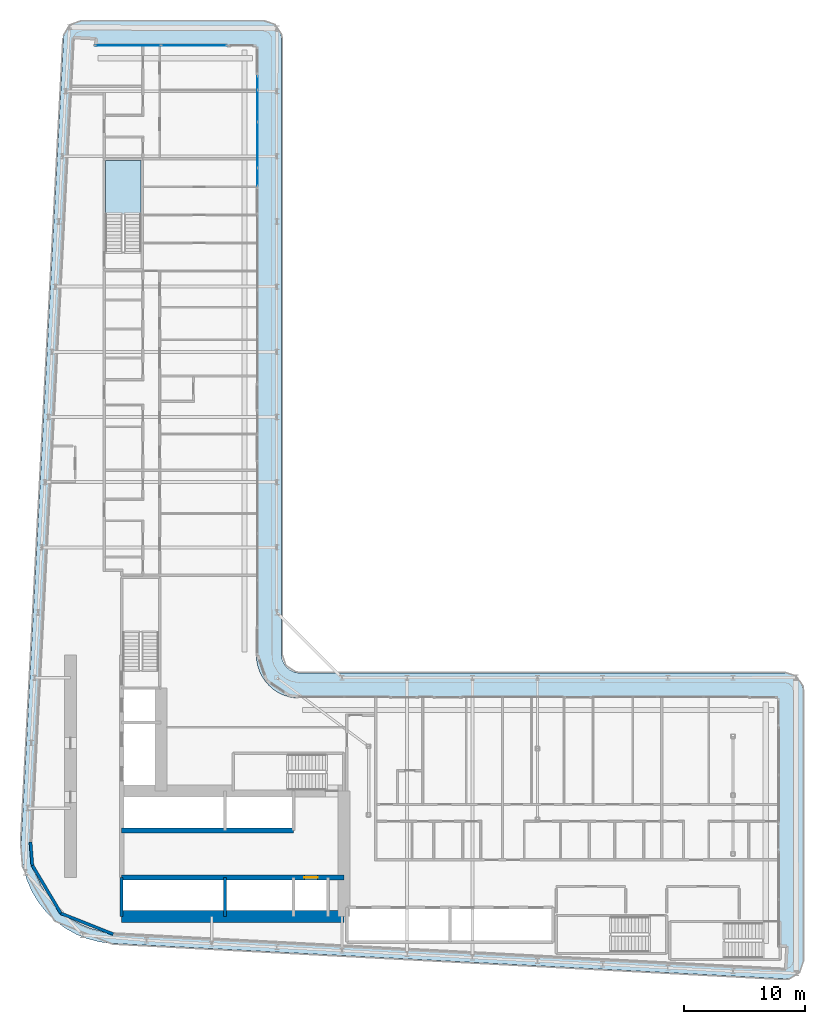
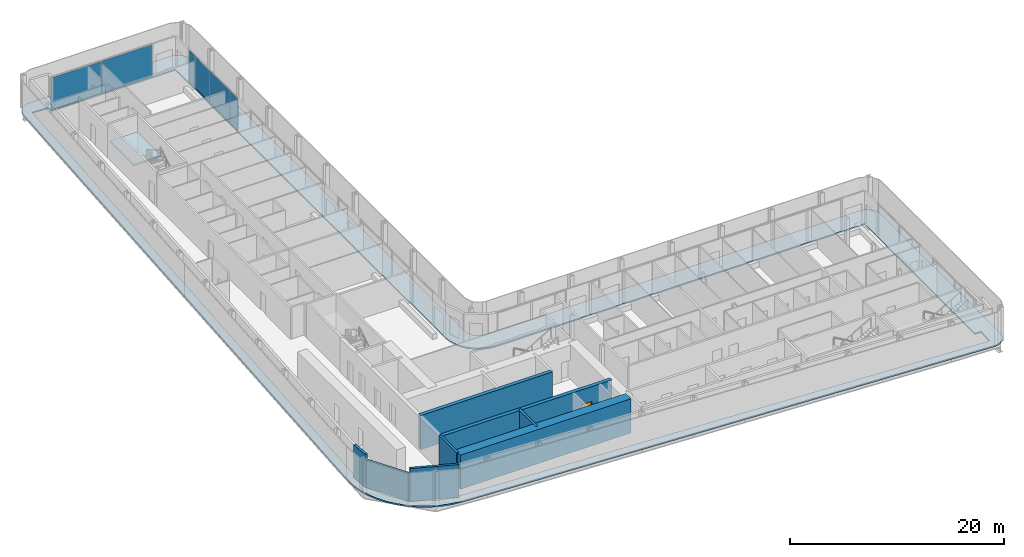
# One storey, part 10 of 24: 8 walls, 6 plates, 2 slabs, 1 door, 1 opening, 4 elements without a shape of their own.
"""IFC4 building model written with IfcOpenShell, lengths in metres."""

import ifcopenshell
import ifcopenshell.guid

model = None  # the IFC model being written
_history = None  # IfcOwnerHistory: only IFC2X3 demands one
_inside = {}  # id of a spatial element -> (the spatial element, [elements in it])
_under = {}  # id of a project, library or spatial element -> (it, [spatial elements below it])
_declared = {}  # id of a project -> (the project, [libraries it declares])
_typed = {}  # id of a type object -> (the type object, [elements of that type])
_made_of = {}  # id of a material, layer set ... -> (it, [elements and type objects made of it])


def new_model(schema):
    """Start an empty IFC model of exactly this schema.

    Asked for "IFC4X3", IfcOpenShell would pick the latest addendum, in which some entities
    have other attributes; the version numbers below select the first issue.
    IFC2X3 requires an IfcOwnerHistory on every rooted entity: one is made here for all.
    """
    global model, _history
    if schema == "IFC4X3":
        model = ifcopenshell.file(schema_version=(4, 3, 0, 0))
    else:
        model = ifcopenshell.file(schema=schema)
    _inside.clear()
    _under.clear()
    _declared.clear()
    _typed.clear()
    _made_of.clear()
    _history = None
    if model.schema == "IFC2X3":
        org = make("IfcOrganization", Name="unknown")
        user = make(
            "IfcPersonAndOrganization",
            ThePerson=make("IfcPerson", FamilyName="unknown"),
            TheOrganization=org,
        )
        app = make(
            "IfcApplication",
            ApplicationDeveloper=org,
            Version="unknown",
            ApplicationFullName="unknown",
            ApplicationIdentifier="unknown",
        )
        _history = make(
            "IfcOwnerHistory",
            OwningUser=user,
            OwningApplication=app,
            ChangeAction="ADDED",
            CreationDate=0,
        )
    return model


def make(cls, **values):
    """One entity of the class cls with the attributes given. An attribute that is None is left unset."""
    return model.create_entity(
        cls, **{name: value for name, value in values.items() if value is not None}
    )


def rooted(cls, **values):
    """An entity with a GlobalId (a new one), such as an element, a storey or a relation."""
    return make(cls, GlobalId=ifcopenshell.guid.new(), OwnerHistory=_history, **values)


def si_unit(unit_type, name, prefix=None):
    """IfcSIUnit, for example si_unit("LENGTHUNIT", "METRE", prefix="MILLI")."""
    return make("IfcSIUnit", UnitType=unit_type, Prefix=prefix, Name=name)


def assignment(units):
    """IfcUnitAssignment: the units of a project."""
    return None if units is None else make("IfcUnitAssignment", Units=units)


def point(xyz):
    """IfcCartesianPoint."""
    return None if xyz is None else make("IfcCartesianPoint", Coordinates=xyz)


def direction(xyz):
    """IfcDirection."""
    return None if xyz is None else make("IfcDirection", DirectionRatios=xyz)


def frame(location, z_axis=None, x_axis=None):
    """IfcAxis2Placement3D, a coordinate frame: its origin and axes. An axis left out is left unset."""
    return make(
        "IfcAxis2Placement3D",
        Location=point(location),
        Axis=direction(z_axis),
        RefDirection=direction(x_axis),
    )


def frame_2d(location, x_axis=None):
    """IfcAxis2Placement2D, a coordinate frame in the plane: its origin and x axis."""
    return make(
        "IfcAxis2Placement2D", Location=point(location), RefDirection=direction(x_axis)
    )


def origin():
    """The frame at (0, 0, 0) with its axes left unset."""
    return frame((0.0, 0.0, 0.0))


def origin_2d():
    """The frame at (0, 0) in the plane with its x axis left unset."""
    return frame_2d((0.0, 0.0))


def place(relative_to, where):
    """IfcLocalPlacement: puts the frame where relative to a parent placement (None: the world)."""
    return make(
        "IfcLocalPlacement", PlacementRelTo=relative_to, RelativePlacement=where
    )


def context(
    kind, dimensions, precision=None, world=None, true_north=None, identifier=None
):
    """IfcGeometricRepresentationContext, for example the 3D "Model" context."""
    return make(
        "IfcGeometricRepresentationContext",
        ContextIdentifier=identifier,
        ContextType=kind,
        CoordinateSpaceDimension=dimensions,
        Precision=precision,
        WorldCoordinateSystem=world,
        TrueNorth=true_north,
    )


def subcontext(parent, identifier, kind, view, scale=None):
    """IfcGeometricRepresentationSubContext, for example "Body" below "Model"."""
    return make(
        "IfcGeometricRepresentationSubContext",
        ContextIdentifier=identifier,
        ContextType=kind,
        ParentContext=parent,
        TargetScale=scale,
        TargetView=view,
    )


def project(units=None, contexts=None):
    """IfcProject with its units and contexts."""
    return rooted(
        "IfcProject",
        Name="project",
        RepresentationContexts=contexts,
        UnitsInContext=assignment(units),
    )


def spatial(cls, under=None, at=None, **own):
    """A site, building, storey or space (cls), placed at a placement, below another one or the project."""
    s = rooted(cls, ObjectPlacement=at, **own)
    if under is not None:
        _under.setdefault(under.id(), (under, []))[1].append(s)
    return s


def polyline(points):
    """IfcPolyline through the points."""
    return make("IfcPolyline", Points=[point(p) for p in points])


def profile(cls, at=None, kind="AREA", **sizes):
    """A parametric profile (cls). Its sizes go by their IFC names, for example OverallWidth=200.0."""
    return make(cls, ProfileType=kind, Position=at, **sizes)


def rectangle(**sizes):
    """IfcRectangleProfileDef."""
    return profile("IfcRectangleProfileDef", **sizes)


def outline(outer, holes=None, kind="AREA"):
    """IfcArbitraryClosedProfileDef: a profile drawn as a closed curve; with holes, ...WithVoids."""
    if holes is None:
        return make("IfcArbitraryClosedProfileDef", ProfileType=kind, OuterCurve=outer)
    return make(
        "IfcArbitraryProfileDefWithVoids",
        ProfileType=kind,
        OuterCurve=outer,
        InnerCurves=holes,
    )


def extrude(swept, where, along, depth):
    """IfcExtrudedAreaSolid: the profile swept, set in the frame where, extruded along a direction by depth."""
    return make(
        "IfcExtrudedAreaSolid",
        SweptArea=swept,
        Position=where,
        ExtrudedDirection=direction(along),
        Depth=depth,
    )


def shape(context_of_items, identifier, shape_type, items):
    """IfcShapeRepresentation: the items that make up one representation, for example the "Body"."""
    return make(
        "IfcShapeRepresentation",
        ContextOfItems=context_of_items,
        RepresentationIdentifier=identifier,
        RepresentationType=shape_type,
        Items=items,
    )


def source(mapping_origin, context_of_items, identifier, shape_type, items):
    """IfcRepresentationMap: a shape defined once, which mapped items show again and again."""
    return make(
        "IfcRepresentationMap",
        MappingOrigin=mapping_origin,
        MappedRepresentation=shape(context_of_items, identifier, shape_type, items),
    )


def transform(
    local_origin,
    x_axis=None,
    y_axis=None,
    z_axis=None,
    scale=None,
    scale2=None,
    scale3=None,
    uniform=True,
):
    """IfcCartesianTransformationOperator3D, or its non-uniform kind. x_axis, y_axis, z_axis: its Axis1, 2, 3."""
    if uniform:
        return make(
            "IfcCartesianTransformationOperator3D",
            Axis1=direction(x_axis),
            Axis2=direction(y_axis),
            LocalOrigin=point(local_origin),
            Scale=scale,
            Axis3=direction(z_axis),
        )
    return make(
        "IfcCartesianTransformationOperator3DnonUniform",
        Axis1=direction(x_axis),
        Axis2=direction(y_axis),
        LocalOrigin=point(local_origin),
        Scale=scale,
        Axis3=direction(z_axis),
        Scale2=scale2,
        Scale3=scale3,
    )


def mapped(mapping_source, mapping_target):
    """IfcMappedItem: shows the shape of a source again, moved by a transform."""
    return make(
        "IfcMappedItem", MappingSource=mapping_source, MappingTarget=mapping_target
    )


def material(Name=None, Category=None):
    """IfcMaterial."""
    return make("IfcMaterial", Name=Name, Category=Category)


def layer(
    of_material, thickness, ventilated=None, Name=None, Category=None, Priority=None
):
    """IfcMaterialLayer: one layer of a wall or slab, of a material (None: an air gap)."""
    return make(
        "IfcMaterialLayer",
        Material=of_material,
        LayerThickness=thickness,
        IsVentilated=ventilated,
        Name=Name,
        Category=Category,
        Priority=Priority,
    )


def layer_set(layers, Name=None):
    """IfcMaterialLayerSet."""
    return make("IfcMaterialLayerSet", MaterialLayers=layers, LayerSetName=Name)


def made_of(thing, what):
    """Note that an element or type object is made of a material, layer set ...; save() writes the relation."""
    if what is not None:
        _made_of.setdefault(what.id(), (what, []))[1].append(thing)
    return thing


def type_object(cls, material=None, **own):
    """A type object (cls), such as IfcWallType, which elements share."""
    return made_of(rooted(cls, **own), material)


def element(
    cls,
    number,
    at=None,
    inside=None,
    cuts=None,
    type_object=None,
    material=None,
    context=None,
    identifier="Body",
    shape_type=None,
    held_by="IfcProductDefinitionShape",
    body=None,
    shapes=None,
    **own,
):
    """One element of the class cls, such as IfcWall. Its Tag is "e" and its number.

    at: its placement. inside: the storey or other place that contains it. cuts: it is an
    opening in that element (IfcRelVoidsElement). A single representation is given by context,
    identifier, shape_type and body (its items); several are given by shapes. held_by: the class
    of the entity that holds the representations. save() writes the other relations.
    """
    e = rooted(cls, Tag="e%d" % number, ObjectPlacement=at, **own)
    if body is not None:
        shapes = [shape(context, identifier, shape_type, body)]
    if shapes is not None:
        e.Representation = make(held_by, Representations=shapes)
    if inside is not None:
        _inside.setdefault(inside.id(), (inside, []))[1].append(e)
    if cuts is not None:
        rooted(
            "IfcRelVoidsElement", RelatingBuildingElement=cuts, RelatedOpeningElement=e
        )
    if type_object is not None:
        _typed.setdefault(type_object.id(), (type_object, []))[1].append(e)
    return made_of(e, material)


def fill(opening, filler):
    """IfcRelFillsElement: the door or window that sits in an opening."""
    return rooted(
        "IfcRelFillsElement",
        RelatingOpeningElement=opening,
        RelatedBuildingElement=filler,
    )


def aggregate(whole, parts):
    """IfcRelAggregates: a whole, such as a stair, and the parts it consists of."""
    return rooted("IfcRelAggregates", RelatingObject=whole, RelatedObjects=parts)


def save(model, path):
    """Write the relations noted so far, then the file.

    IfcRelAggregates (storeys below a building ...), IfcRelContainedInSpatialStructure (elements
    in a storey), IfcRelDefinesByType, IfcRelAssociatesMaterial and IfcRelDeclares: one each for
    every whole, place, type object, material and project.
    """
    for whole, parts in _under.values():
        aggregate(whole, parts)
    for where, things in _inside.values():
        rooted(
            "IfcRelContainedInSpatialStructure",
            RelatedElements=things,
            RelatingStructure=where,
        )
    for kind, things in _typed.values():
        rooted("IfcRelDefinesByType", RelatedObjects=things, RelatingType=kind)
    for what, things in _made_of.values():
        rooted("IfcRelAssociatesMaterial", RelatedObjects=things, RelatingMaterial=what)
    for by, libraries in _declared.values():
        rooted("IfcRelDeclares", RelatingContext=by, RelatedDefinitions=libraries)
    model.write(path)


model = new_model("IFC4")

# Units and contexts
model_context = context("Model", 3, precision=1e-05, world=origin(), true_north=direction((0.0, 1.0)))
body_context = subcontext(model_context, "Body", "Model", "MODEL_VIEW")
ifc_project = project(units=[si_unit("LENGTHUNIT", "METRE"), si_unit("AREAUNIT", "SQUARE_METRE"), si_unit("VOLUMEUNIT", "CUBIC_METRE"), si_unit("PLANEANGLEUNIT", "RADIAN"), si_unit("MASSUNIT", "GRAM", prefix="KILO")], contexts=[model_context])

# Site, building, storey
site_placement = place(None, origin())
site = spatial("IfcSite", under=ifc_project, at=site_placement, CompositionType="ELEMENT")
building_placement = place(site_placement, origin())
building = spatial("IfcBuilding", under=site, at=building_placement, Name="Kheshtan School and Residences Tower", CompositionType="ELEMENT")
storey_placement = place(building_placement, frame((0.0, 0.0, 38.300048828125)))
storey = spatial("IfcBuildingStorey", under=building, at=storey_placement, Name="L08", CompositionType="ELEMENT", Elevation=38.300048828125)

# Curtain wall, plates
ifc_material_1 = material(Name="Clear low-e glass in thermally broken aluminium frame", Category="aluminium")
ifc_layer_1 = layer(ifc_material_1, 0.199951171875)
ifc_layer_set_1 = layer_set([ifc_layer_1], Name="Curtain wall CW-L")
curtain_wall_type = type_object("IfcCurtainWallType", Name="Curtain wall CW-L", PredefinedType="NOTDEFINED", material=ifc_layer_set_1)
curtain_wall_1_placement = place(storey_placement, origin())
curtain_wall_1 = element("IfcCurtainWall", 1, at=curtain_wall_1_placement, inside=storey, type_object=curtain_wall_type, Name="Curtain wall CWL7", PredefinedType="NOTDEFINED")
ifc_layer_2 = layer(ifc_material_1, 0.031982421875)
ifc_layer_set_2 = layer_set([ifc_layer_2], Name="CW-L glass panel")
plate_type = type_object("IfcPlateType", Name="CW-L glass panel", PredefinedType="CURTAIN_PANEL", material=ifc_layer_set_2)
plate_1_placement = place(storey_placement, frame((35.259033203125, 98.0, 0.0), z_axis=(0.0, 0.0, 1.0), x_axis=(1.0, 0.0, 0.0)))
plate_1 = element("IfcPlate", 2, at=plate_1_placement, type_object=plate_type, Name="CWL7 panel 1.1", PredefinedType="CURTAIN_PANEL", context=body_context, shape_type="SweptSolid", body=[
    extrude(rectangle(XDim=5.4140625, YDim=0.031982421875, at=origin_2d()), origin(), (0.0, 0.0, 1.0), 3.6298828125),
])
plate_2_placement = place(storey_placement, frame((40.73291015625, 98.0, 0.0), z_axis=(0.0, 0.0, 1.0), x_axis=(1.0, 0.0, 0.0)))
plate_2 = element("IfcPlate", 3, at=plate_2_placement, type_object=plate_type, Name="CWL7 panel 2.1", PredefinedType="CURTAIN_PANEL", context=body_context, shape_type="SweptSolid", body=[
    extrude(rectangle(XDim=5.4140625, YDim=0.031982421875, at=origin_2d()), origin(), (0.0, 0.0, 1.0), 3.6298828125),
])
aggregate(curtain_wall_1, [plate_1, plate_2])

curtain_wall_2_placement = place(storey_placement, origin())
curtain_wall_2 = element("IfcCurtainWall", 4, at=curtain_wall_2_placement, inside=storey, type_object=curtain_wall_type, Name="Curtain wall CWL8c", PredefinedType="NOTDEFINED")
plate_3_placement = place(storey_placement, frame((46.0, 94.885009765625, 0.0), z_axis=(0.0, 0.0, 1.0), x_axis=(0.0, -1.0, 0.0)))
plate_3 = element("IfcPlate", 5, at=plate_3_placement, type_object=plate_type, Name="CWL8c panel 1.1", PredefinedType="CURTAIN_PANEL", context=body_context, shape_type="SweptSolid", body=[
    extrude(rectangle(XDim=1.110107421875, YDim=0.031982421875, at=origin_2d()), origin(), (0.0, 0.0, 1.0), 3.6298828125),
])
plate_4_placement = place(storey_placement, frame((46.0, 92.9765625, 0.0), z_axis=(0.0, 0.0, 1.0), x_axis=(0.0, -1.0, 0.0)))
plate_4 = element("IfcPlate", 6, at=plate_4_placement, type_object=plate_type, Name="CWL8c panel 2.1", PredefinedType="CURTAIN_PANEL", context=body_context, shape_type="SweptSolid", body=[
    extrude(rectangle(XDim=2.5869140625, YDim=0.031982421875, at=origin_2d()), origin(), (0.0, 0.0, 1.0), 3.6298828125),
])
plate_5_placement = place(storey_placement, frame((46.0, 89.744384765625, 0.0), z_axis=(0.0, 0.0, 1.0), x_axis=(0.0, -1.0, 0.0)))
plate_5 = element("IfcPlate", 7, at=plate_5_placement, type_object=plate_type, Name="CWL8c panel 3.1", PredefinedType="CURTAIN_PANEL", context=body_context, shape_type="SweptSolid", body=[
    extrude(rectangle(XDim=3.757080078125, YDim=0.031982421875, at=origin_2d()), origin(), (0.0, 0.0, 1.0), 3.6298828125),
])
aggregate(curtain_wall_2, [plate_3, plate_4, plate_5])

# Curtain wall, plate
curtain_wall_3_placement = place(storey_placement, origin())
curtain_wall_3 = element("IfcCurtainWall", 8, at=curtain_wall_3_placement, inside=storey, type_object=curtain_wall_type, Name="Curtain wall CWL8a", PredefinedType="NOTDEFINED")
plate_6_placement = place(storey_placement, frame((46.0, 87.0859375, 0.0), z_axis=(0.0, 0.0, 1.0), x_axis=(0.0, -1.0, 0.0)))
plate_6 = element("IfcPlate", 9, at=plate_6_placement, type_object=plate_type, Name="CWL8a panel 1.1", PredefinedType="CURTAIN_PANEL", context=body_context, shape_type="SweptSolid", body=[
    extrude(rectangle(XDim=1.43994140625, YDim=0.031982421875, at=origin_2d()), origin(), (0.0, 0.0, 1.0), 3.6298828125),
])
aggregate(curtain_wall_3, [plate_6])

# Slab
ifc_material_2 = material(Name="Concrete C40/50", Category="concrete")
ifc_layer_3 = layer(ifc_material_2, 0.14990234375)
ifc_layer_set_3 = layer_set([ifc_layer_3], Name="Loggia balcony slab 150 Concrete C40/50")
slab_type_1 = type_object("IfcSlabType", Name="Loggia balcony slab 150 Concrete C40/50", PredefinedType="FLOOR", material=ifc_layer_set_3)
slab_1_placement = place(storey_placement, frame((0.0, 0.0, -0.150146484375)))
element("IfcSlab", 10, at=slab_1_placement, inside=storey, type_object=slab_type_1, Name="Loggia balcony slab L08", PredefinedType="FLOOR", context=body_context, shape_type="SweptSolid", body=[
    extrude(outline(polyline([(28.4580078125, 26.222900390625), (28.45703125, 26.222900390625), (28.45703125, 26.22412109375), (28.4560546875, 26.22412109375), (27.81494140625, 27.0390625), (27.281005859375, 27.93798828125), (26.867919921875, 28.89990234375), (26.583984375, 29.89990234375), (26.583984375, 29.906982421875), (26.43408203125, 30.943115234375), (26.419921875, 31.989013671875), (29.925048828125, 98.5791015625), (29.930908203125, 98.626953125), (29.930908203125, 98.6279296875), (29.929931640625, 98.6279296875), (29.929931640625, 98.62890625), (29.928955078125, 98.62890625), (29.928955078125, 98.6298828125), (29.927978515625, 98.6298828125), (29.927978515625, 98.631103515625), (29.927001953125, 98.631103515625), (29.927001953125, 98.632080078125), (29.927001953125, 98.633056640625), (29.945068359375, 98.781005859375), (29.945068359375, 98.783935546875), (29.945068359375, 98.784912109375), (29.946044921875, 98.784912109375), (29.946044921875, 98.785888671875), (29.947021484375, 98.785888671875), (29.947021484375, 98.787109375), (29.947998046875, 98.787109375), (29.948974609375, 98.787109375), (29.948974609375, 98.7880859375), (29.949951171875, 98.7880859375), (29.949951171875, 98.7890625), (29.949951171875, 98.791015625), (30.0029296875, 98.98388671875), (30.083984375, 99.175048828125), (30.18896484375, 99.35302734375), (30.31103515625, 99.507080078125), (30.31201171875, 99.507080078125), (30.31201171875, 99.508056640625), (30.31298828125, 99.508056640625), (30.31298828125, 99.509033203125), (30.31396484375, 99.509033203125), (30.31396484375, 99.510009765625), (30.31494140625, 99.510009765625), (30.31494140625, 99.510986328125), (30.31591796875, 99.510986328125), (30.31591796875, 99.511962890625), (30.31689453125, 99.511962890625), (30.31689453125, 99.512939453125), (30.318115234375, 99.512939453125), (30.321044921875, 99.512939453125), (30.322021484375, 99.512939453125), (30.322021484375, 99.513916015625), (30.468017578125, 99.656982421875), (30.468994140625, 99.656982421875), (30.468994140625, 99.657958984375), (30.469970703125, 99.657958984375), (30.469970703125, 99.658935546875), (30.470947265625, 99.658935546875), (30.470947265625, 99.659912109375), (30.471923828125, 99.659912109375), (30.471923828125, 99.660888671875), (30.472900390625, 99.660888671875), (30.472900390625, 99.662109375), (30.47412109375, 99.662109375), (30.47412109375, 99.6630859375), (30.47509765625, 99.6630859375), (30.47509765625, 99.6640625), (30.635986328125, 99.777099609375), (30.820068359375, 99.873046875), (31.007080078125, 99.943115234375), (31.013916015625, 99.943115234375), (31.217041015625, 99.986083984375), (31.423095703125, 100.0), (46.5, 100.0), (46.696044921875, 99.987060546875), (46.887939453125, 99.948974609375), (46.89501953125, 99.948974609375), (47.073974609375, 99.885986328125), (47.242919921875, 99.801025390625), (47.243896484375, 99.801025390625), (47.2470703125, 99.801025390625), (47.248046875, 99.801025390625), (47.248046875, 99.802001953125), (47.2490234375, 99.802001953125), (47.2490234375, 99.802978515625), (47.25, 99.802978515625), (47.2529296875, 99.802978515625), (47.25390625, 99.802978515625), (47.25390625, 99.802001953125), (47.2548828125, 99.802001953125), (47.2548828125, 99.801025390625), (47.256103515625, 99.801025390625), (47.256103515625, 99.800048828125), (47.257080078125, 99.800048828125), (47.257080078125, 99.799072265625), (47.258056640625, 99.799072265625), (47.258056640625, 99.798095703125), (47.412109375, 99.696044921875), (47.4130859375, 99.696044921875), (47.4130859375, 99.695068359375), (47.4140625, 99.695068359375), (47.4140625, 99.694091796875), (47.4140625, 99.68994140625), (47.4140625, 99.68896484375), (47.4150390625, 99.68896484375), (47.4150390625, 99.68798828125), (47.416015625, 99.68798828125), (47.416015625, 99.68701171875), (47.4169921875, 99.68701171875), (47.4169921875, 99.68603515625), (47.554931640625, 99.568115234375), (47.554931640625, 99.56689453125), (47.555908203125, 99.56689453125), (47.555908203125, 99.56591796875), (47.556884765625, 99.56591796875), (47.556884765625, 99.56494140625), (47.55810546875, 99.56494140625), (47.55810546875, 99.56396484375), (47.55908203125, 99.56396484375), (47.55908203125, 99.56298828125), (47.56005859375, 99.56298828125), (47.56005859375, 99.56201171875), (47.56103515625, 99.56201171875), (47.56201171875, 99.56103515625), (47.56201171875, 99.56005859375), (47.56298828125, 99.56005859375), (47.56298828125, 99.55908203125), (47.56396484375, 99.55908203125), (47.56396484375, 99.55810546875), (47.56494140625, 99.55810546875), (47.56494140625, 99.556884765625), (47.56591796875, 99.556884765625), (47.56591796875, 99.555908203125), (47.56689453125, 99.555908203125), (47.56689453125, 99.554931640625), (47.568115234375, 99.554931640625), (47.68505859375, 99.41796875), (47.68603515625, 99.41796875), (47.68603515625, 99.4169921875), (47.68701171875, 99.4169921875), (47.68701171875, 99.416015625), (47.68798828125, 99.416015625), (47.68798828125, 99.4150390625), (47.68896484375, 99.4150390625), (47.68896484375, 99.4140625), (47.68994140625, 99.4140625), (47.694091796875, 99.4140625), (47.695068359375, 99.4140625), (47.695068359375, 99.4130859375), (47.696044921875, 99.4130859375), (47.696044921875, 99.412109375), (47.797119140625, 99.259033203125), (47.798095703125, 99.259033203125), (47.798095703125, 99.258056640625), (47.799072265625, 99.258056640625), (47.799072265625, 99.257080078125), (47.800048828125, 99.257080078125), (47.800048828125, 99.256103515625), (47.801025390625, 99.256103515625), (47.801025390625, 99.2548828125), (47.802001953125, 99.2548828125), (47.802001953125, 99.25390625), (47.802978515625, 99.25390625), (47.802978515625, 99.2529296875), (47.802978515625, 99.25), (47.802978515625, 99.2490234375), (47.802001953125, 99.2490234375), (47.802001953125, 99.248046875), (47.801025390625, 99.248046875), (47.801025390625, 99.2470703125), (47.801025390625, 99.242919921875), (47.801025390625, 99.241943359375), (47.885986328125, 99.073974609375), (47.948974609375, 98.89501953125), (47.948974609375, 98.887939453125), (47.987060546875, 98.696044921875), (48.0, 98.5), (48.0, 47.5), (48.012939453125, 47.303955078125), (48.051025390625, 47.113037109375), (48.051025390625, 47.10693359375), (48.051025390625, 47.10595703125), (48.114013671875, 46.926025390625), (48.200927734375, 46.75), (48.31005859375, 46.5869140625), (48.431884765625, 46.444091796875), (48.43310546875, 46.444091796875), (48.43310546875, 46.443115234375), (48.43408203125, 46.443115234375), (48.43408203125, 46.44189453125), (48.43505859375, 46.44189453125), (48.43505859375, 46.44091796875), (48.43603515625, 46.44091796875), (48.43603515625, 46.43994140625), (48.43701171875, 46.43994140625), (48.43701171875, 46.43896484375), (48.43798828125, 46.43896484375), (48.43896484375, 46.43798828125), (48.43896484375, 46.43701171875), (48.43994140625, 46.43701171875), (48.43994140625, 46.43603515625), (48.44091796875, 46.43603515625), (48.44091796875, 46.43505859375), (48.44189453125, 46.43505859375), (48.44189453125, 46.43408203125), (48.443115234375, 46.43408203125), (48.443115234375, 46.43310546875), (48.444091796875, 46.43310546875), (48.444091796875, 46.431884765625), (48.5869140625, 46.31005859375), (48.75, 46.200927734375), (48.926025390625, 46.114013671875), (49.10595703125, 46.051025390625), (49.10693359375, 46.051025390625), (49.113037109375, 46.051025390625), (49.303955078125, 46.012939453125), (49.5, 46.0), (89.699951171875, 46.0), (89.89599609375, 45.987060546875), (90.087890625, 45.948974609375), (90.094970703125, 45.948974609375), (90.27392578125, 45.885986328125), (90.44189453125, 45.801025390625), (90.443115234375, 45.801025390625), (90.447021484375, 45.801025390625), (90.447998046875, 45.801025390625), (90.447998046875, 45.802001953125), (90.448974609375, 45.802001953125), (90.448974609375, 45.802978515625), (90.449951171875, 45.802978515625), (90.452880859375, 45.802978515625), (90.4541015625, 45.802978515625), (90.4541015625, 45.802001953125), (90.455078125, 45.802001953125), (90.455078125, 45.801025390625), (90.4560546875, 45.801025390625), (90.4560546875, 45.800048828125), (90.45703125, 45.800048828125), (90.45703125, 45.799072265625), (90.4580078125, 45.799072265625), (90.4580078125, 45.798095703125), (90.458984375, 45.798095703125), (90.458984375, 45.797119140625), (90.4599609375, 45.797119140625), (90.4599609375, 45.7958984375), (90.612060546875, 45.696044921875), (90.613037109375, 45.696044921875), (90.613037109375, 45.695068359375), (90.614013671875, 45.695068359375), (90.614013671875, 45.694091796875), (90.614013671875, 45.68994140625), (90.614013671875, 45.68896484375), (90.614990234375, 45.68896484375), (90.614990234375, 45.68798828125), (90.615966796875, 45.68798828125), (90.615966796875, 45.68701171875), (90.616943359375, 45.68701171875), (90.616943359375, 45.68603515625), (90.617919921875, 45.68603515625), (90.617919921875, 45.68505859375), (90.618896484375, 45.68505859375), (90.618896484375, 45.68408203125), (90.7548828125, 45.568115234375), (90.7548828125, 45.56689453125), (90.756103515625, 45.56689453125), (90.756103515625, 45.56591796875), (90.757080078125, 45.56591796875), (90.757080078125, 45.56494140625), (90.758056640625, 45.56494140625), (90.758056640625, 45.56396484375), (90.759033203125, 45.56396484375), (90.759033203125, 45.56298828125), (90.760009765625, 45.56298828125), (90.760009765625, 45.56201171875), (90.760986328125, 45.56201171875), (90.761962890625, 45.56103515625), (90.761962890625, 45.56005859375), (90.762939453125, 45.56005859375), (90.762939453125, 45.55908203125), (90.763916015625, 45.55908203125), (90.763916015625, 45.55810546875), (90.764892578125, 45.55810546875), (90.764892578125, 45.556884765625), (90.76611328125, 45.556884765625), (90.76611328125, 45.555908203125), (90.76708984375, 45.555908203125), (90.76708984375, 45.554931640625), (90.76806640625, 45.554931640625), (90.882080078125, 45.4208984375), (90.883056640625, 45.4208984375), (90.883056640625, 45.419921875), (90.884033203125, 45.419921875), (90.884033203125, 45.4189453125), (90.885009765625, 45.4189453125), (90.885009765625, 45.41796875), (90.885986328125, 45.41796875), (90.885986328125, 45.4169921875), (90.886962890625, 45.4169921875), (90.886962890625, 45.416015625), (90.887939453125, 45.416015625), (90.887939453125, 45.4150390625), (90.888916015625, 45.4150390625), (90.888916015625, 45.4140625), (90.889892578125, 45.4140625), (90.89404296875, 45.4140625), (90.89501953125, 45.4140625), (90.89501953125, 45.4130859375), (90.89599609375, 45.4130859375), (90.89599609375, 45.412109375), (90.993896484375, 45.261962890625), (90.9951171875, 45.261962890625), (90.9951171875, 45.260986328125), (90.99609375, 45.260986328125), (90.99609375, 45.260009765625), (90.9970703125, 45.260009765625), (90.9970703125, 45.259033203125), (90.998046875, 45.259033203125), (90.998046875, 45.258056640625), (90.9990234375, 45.258056640625), (90.9990234375, 45.257080078125), (91.0, 45.257080078125), (91.0, 45.256103515625), (91.0009765625, 45.256103515625), (91.0009765625, 45.2548828125), (91.001953125, 45.2548828125), (91.001953125, 45.25390625), (91.0029296875, 45.25390625), (91.0029296875, 45.2529296875), (91.0029296875, 45.25), (91.0029296875, 45.2490234375), (91.001953125, 45.2490234375), (91.001953125, 45.248046875), (91.0009765625, 45.248046875), (91.0009765625, 45.2470703125), (91.0009765625, 45.240966796875), (91.0009765625, 45.239990234375), (91.0859375, 45.073974609375), (91.14892578125, 44.89501953125), (91.14892578125, 44.887939453125), (91.18701171875, 44.696044921875), (91.199951171875, 44.5), (91.199951171875, 22.14892578125), (91.18603515625, 21.947021484375), (91.14501953125, 21.7490234375), (91.14501953125, 21.741943359375), (91.077880859375, 21.556884765625), (90.986083984375, 21.376953125), (90.87109375, 21.2109375), (90.87109375, 21.2099609375), (90.87109375, 21.208984375), (90.87109375, 21.2080078125), (90.8720703125, 21.2080078125), (90.8720703125, 21.20703125), (90.8720703125, 21.205078125), (90.8720703125, 21.2041015625), (90.87109375, 21.2041015625), (90.87109375, 21.202880859375), (90.738037109375, 21.06005859375), (90.735107421875, 21.056884765625), (90.73388671875, 21.056884765625), (90.73388671875, 21.055908203125), (90.73291015625, 21.055908203125), (90.73095703125, 21.055908203125), (90.72998046875, 21.055908203125), (90.72998046875, 21.056884765625), (90.72900390625, 21.056884765625), (90.72802734375, 21.056884765625), (90.72705078125, 21.056884765625), (90.575927734375, 20.931884765625), (90.404052734375, 20.824951171875), (90.218994140625, 20.741943359375), (90.031005859375, 20.68505859375), (90.02392578125, 20.68505859375), (89.823974609375, 20.655029296875), (89.62109375, 20.652099609375), (33.989013671875, 23.580078125), (33.94189453125, 23.5859375), (33.94091796875, 23.5859375), (33.93994140625, 23.5859375), (33.93994140625, 23.5849609375), (33.93896484375, 23.5849609375), (33.93896484375, 23.583984375), (33.93798828125, 23.583984375), (33.93798828125, 23.5830078125), (33.93701171875, 23.5830078125), (33.93701171875, 23.58203125), (33.93603515625, 23.58203125), (33.93505859375, 23.58203125), (32.952880859375, 23.697998046875), (32.949951171875, 23.697998046875), (32.948974609375, 23.697998046875), (32.948974609375, 23.698974609375), (32.947998046875, 23.698974609375), (32.947998046875, 23.699951171875), (32.947021484375, 23.699951171875), (32.947021484375, 23.700927734375), (32.947021484375, 23.702880859375), (32.947021484375, 23.7041015625), (32.946044921875, 23.7041015625), (32.946044921875, 23.705078125), (32.945068359375, 23.705078125), (32.944091796875, 23.705078125), (31.93603515625, 23.9609375), (31.928955078125, 23.9609375), (30.964111328125, 24.34912109375), (30.051025390625, 24.860107421875), (29.218994140625, 25.47900390625), (29.218994140625, 25.47998046875), (29.218017578125, 25.47998046875), (29.218017578125, 25.48095703125), (29.217041015625, 25.48095703125), (29.217041015625, 25.48193359375), (29.216064453125, 25.48193359375), (29.216064453125, 25.48291015625), (29.215087890625, 25.48291015625), (29.215087890625, 25.48388671875), (29.214111328125, 25.48388671875), (29.214111328125, 25.485107421875), (29.212890625, 25.485107421875), (29.212890625, 25.486083984375), (29.2119140625, 25.486083984375), (28.467041015625, 26.217041015625), (28.467041015625, 26.218017578125), (28.466064453125, 26.218017578125), (28.462890625, 26.218017578125), (28.4619140625, 26.218017578125), (28.4619140625, 26.218994140625), (28.4609375, 26.218994140625), (28.4609375, 26.219970703125), (28.4599609375, 26.219970703125), (28.4599609375, 26.220947265625), (28.458984375, 26.220947265625), (28.458984375, 26.221923828125), (28.4580078125, 26.221923828125), (28.4580078125, 26.222900390625)]), holes=[polyline([(29.12890625, 26.824951171875), (29.12890625, 26.823974609375), (29.1298828125, 26.823974609375), (29.1298828125, 26.822998046875), (29.131103515625, 26.822998046875), (29.131103515625, 26.822021484375), (29.132080078125, 26.822021484375), (29.132080078125, 26.821044921875), (29.133056640625, 26.821044921875), (29.133056640625, 26.820068359375), (29.134033203125, 26.820068359375), (29.7939453125, 26.173095703125), (29.7939453125, 26.172119140625), (29.794921875, 26.172119140625), (29.798095703125, 26.172119140625), (29.799072265625, 26.172119140625), (29.799072265625, 26.1708984375), (29.800048828125, 26.1708984375), (29.800048828125, 26.169921875), (29.801025390625, 26.169921875), (29.801025390625, 26.1689453125), (29.802001953125, 26.1689453125), (29.802001953125, 26.16796875), (29.802978515625, 26.16796875), (29.802978515625, 26.1669921875), (29.803955078125, 26.1669921875), (29.803955078125, 26.166015625), (30.541015625, 25.616943359375), (31.35205078125, 25.1630859375), (32.208984375, 24.819091796875), (32.2099609375, 24.819091796875), (32.216064453125, 24.819091796875), (33.114990234375, 24.590087890625), (34.06591796875, 24.47705078125), (89.637939453125, 21.552001953125), (89.6650390625, 21.552978515625), (89.666015625, 21.552978515625), (89.6669921875, 21.552978515625), (89.6669921875, 21.553955078125), (89.66796875, 21.553955078125), (89.66796875, 21.554931640625), (89.66796875, 21.555908203125), (89.758056640625, 23.2451171875), (89.758056640625, 23.24609375), (89.758056640625, 23.2470703125), (89.757080078125, 23.2470703125), (89.757080078125, 23.248046875), (89.756103515625, 23.248046875), (89.7548828125, 23.248046875), (89.10107421875, 23.282958984375), (89.10009765625, 23.282958984375), (89.10009765625, 23.283935546875), (89.10009765625, 43.89794921875), (89.10009765625, 43.89892578125), (89.09912109375, 43.89892578125), (89.09912109375, 43.89990234375), (89.097900390625, 43.89990234375), (49.429931640625, 43.89990234375), (49.030029296875, 43.927001953125), (48.569091796875, 44.01806640625), (48.56201171875, 44.01806640625), (48.1201171875, 44.169921875), (47.697021484375, 44.37890625), (47.30810546875, 44.638916015625), (46.95703125, 44.944091796875), (46.95703125, 44.945068359375), (46.9560546875, 44.945068359375), (46.9560546875, 44.946044921875), (46.955078125, 44.946044921875), (46.955078125, 44.947021484375), (46.9541015625, 44.947021484375), (46.9541015625, 44.947998046875), (46.952880859375, 44.947998046875), (46.952880859375, 44.948974609375), (46.951904296875, 44.948974609375), (46.951904296875, 44.949951171875), (46.951904296875, 44.950927734375), (46.950927734375, 44.950927734375), (46.950927734375, 44.951904296875), (46.949951171875, 44.951904296875), (46.948974609375, 44.951904296875), (46.948974609375, 44.952880859375), (46.947998046875, 44.952880859375), (46.947998046875, 44.9541015625), (46.947021484375, 44.9541015625), (46.947021484375, 44.955078125), (46.946044921875, 44.955078125), (46.946044921875, 44.9560546875), (46.945068359375, 44.9560546875), (46.945068359375, 44.95703125), (46.944091796875, 44.95703125), (46.638916015625, 45.30810546875), (46.37890625, 45.697021484375), (46.169921875, 46.1201171875), (46.01806640625, 46.56201171875), (46.01806640625, 46.569091796875), (45.927001953125, 47.030029296875), (45.89990234375, 47.429931640625), (45.89990234375, 97.89794921875), (45.89990234375, 97.89892578125), (45.89892578125, 97.89892578125), (45.89892578125, 97.89990234375), (45.89794921875, 97.89990234375), (32.492919921875, 97.89990234375), (32.491943359375, 97.89990234375), (32.52099609375, 98.43896484375), (32.52099609375, 98.43994140625), (32.52099609375, 98.44091796875), (32.52001953125, 98.44091796875), (32.52001953125, 98.44189453125), (32.51904296875, 98.44189453125), (32.51806640625, 98.44189453125), (30.8291015625, 98.531982421875), (30.827880859375, 98.531982421875), (30.826904296875, 98.531982421875), (30.826904296875, 98.531005859375), (30.825927734375, 98.531005859375), (30.825927734375, 98.530029296875), (30.825927734375, 98.529052734375), (30.822021484375, 98.5009765625), (27.320068359375, 31.970947265625), (27.3330078125, 31.013916015625), (27.466064453125, 30.093994140625), (27.466064453125, 30.087890625), (27.466064453125, 30.0869140625), (27.718017578125, 29.200927734375), (28.0849609375, 28.345947265625), (28.55908203125, 27.550048828125), (29.126953125, 26.825927734375), (29.1279296875, 26.825927734375), (29.1279296875, 26.824951171875), (29.12890625, 26.824951171875)])]), origin(), (0.0, 0.0, 1.0), 0.150146484375),
])

# Stair, slab
stair_type = type_object("IfcStairType", Name="Exit stair, half-turn", PredefinedType="HALF_TURN_STAIR", material=ifc_material_2)
stair_placement = place(storey_placement, origin())
stair = element("IfcStair", 11, at=stair_placement, inside=storey, type_object=stair_type, Name="L08 Protected Exit Stair ST3", PredefinedType="HALF_TURN_STAIR")
ifc_layer_4 = layer(ifc_material_2, 0.199951171875)
ifc_layer_set_4 = layer_set([ifc_layer_4], Name="Stair landing 200 Concrete C40/50")
slab_type_2 = type_object("IfcSlabType", Name="Stair landing 200 Concrete C40/50", PredefinedType="LANDING", material=ifc_layer_set_4)
slab_2_placement = place(storey_placement, frame((0.0, 0.0, 1.75)))
slab_2 = element("IfcSlab", 12, at=slab_2_placement, type_object=slab_type_2, Name="ST3 landing 1", PredefinedType="LANDING", context=body_context, shape_type="SweptSolid", body=[
    extrude(outline(polyline([(36.35009765625, 83.97998046875), (36.35009765625, 88.4599609375), (33.39990234375, 88.4599609375), (33.39990234375, 83.97998046875), (36.35009765625, 83.97998046875)])), origin(), (0.0, 0.0, 1.0), 0.199951171875),
])
aggregate(stair, [slab_2])

# Wall
ifc_material_3 = material(Name="Concrete C80/95", Category="concrete")
ifc_layer_5 = layer(ifc_material_3, 1.0)
ifc_layer_set_5 = layer_set([ifc_layer_5], Name="Core wall 1000 Concrete C80/95")
wall_type_1 = type_object("IfcWallType", Name="Core wall 1000 Concrete C80/95", PredefinedType="SHEAR", material=ifc_layer_set_5)
wall_1_placement = place(storey_placement, frame((34.75, 25.800048828125, 0.0), z_axis=(0.0, 0.0, 1.0), x_axis=(1.0, 0.0, 0.0)))
element("IfcWall", 13, at=wall_1_placement, inside=storey, type_object=wall_type_1, Name="Core wall CW-REAR-S", PredefinedType="SHEAR", context=body_context, shape_type="SweptSolid", body=[
    extrude(rectangle(XDim=18.39990234375, YDim=1.0, at=frame_2d((9.199951171875, 0.0))), origin(), (0.0, 0.0, 1.0), 3.89990234375),
])

# Wall, opening, door
ifc_material_4 = material(Name="Concrete C50/60", Category="concrete")
ifc_layer_6 = layer(ifc_material_4, 0.39990234375)
ifc_layer_set_6 = layer_set([ifc_layer_6], Name="Core wall 400 Concrete C50/60")
wall_type_2 = type_object("IfcWallType", Name="Core wall 400 Concrete C50/60", PredefinedType="SHEAR", material=ifc_layer_set_6)
wall_2_placement = place(storey_placement, frame((34.75, 29.050048828125, 0.0), z_axis=(0.0, 0.0, 1.0), x_axis=(1.0, 0.0, 0.0)))
wall_2 = element("IfcWall", 14, at=wall_2_placement, inside=storey, type_object=wall_type_2, Name="Core wall CW-HALL-S1", PredefinedType="SHEAR", context=body_context, shape_type="SweptSolid", body=[
    extrude(rectangle(XDim=18.39990234375, YDim=0.39990234375, at=frame_2d((9.199951171875, 0.0))), origin(), (0.0, 0.0, 1.0), 3.89990234375),
])
opening_placement = place(wall_2_placement, frame((15.125, 0.0, 0.0)))
opening = element("IfcOpeningElement", 15, at=opening_placement, cuts=wall_2, Name="Opening LD", PredefinedType="OPENING", context=body_context, shape_type="SweptSolid", body=[
    extrude(rectangle(XDim=1.10009765625, YDim=2.199951171875, at=frame_2d((0.550048828125, 1.10009765625))), frame((0.0, 0.2099609375, 0.0), z_axis=(0.0, -1.0, 0.0), x_axis=(1.0, 0.0, 0.0)), (0.0, 0.0, 1.0), 0.419921875),
])
ifc_material_5 = material(Name="Stainless steel door leaves", Category="steel")
door_type = type_object("IfcDoorType", Name="Lift landing door 1100", OperationType="SLIDING_TO_LEFT", PredefinedType="DOOR", material=ifc_material_5)
shared_shape = source(origin(), body_context, "Body", "SweptSolid", [
    extrude(rectangle(XDim=1.10009765625, YDim=2.199951171875, at=frame_2d((0.550048828125, 1.10009765625))), frame((0.0, 0.02490234375, 0.0), z_axis=(0.0, -1.0, 0.0), x_axis=(1.0, 0.0, 0.0)), (0.0, 0.0, 1.0), 0.050048828125),
])
door_placement = place(opening_placement, origin())
door = element("IfcDoor", 16, at=door_placement, inside=storey, type_object=door_type, Name="Lift FFL2 landing door", OperationType="SLIDING_TO_LEFT", OverallHeight=2.199951171875, OverallWidth=1.10009765625, PredefinedType="DOOR", context=body_context, shape_type="MappedRepresentation", body=[
    mapped(shared_shape, transform((0.0, 0.0, 0.0), x_axis=(1.0, 0.0, 0.0), y_axis=(0.0, 1.0, 0.0), z_axis=(0.0, 0.0, 1.0), scale=1.0)),
])
fill(opening, door)

# Walls
wall_3_placement = place(storey_placement, frame((34.75, 32.949951171875, 0.0), z_axis=(0.0, 0.0, 1.0), x_axis=(1.0, 0.0, 0.0)))
element("IfcWall", 17, at=wall_3_placement, inside=storey, type_object=wall_type_2, Name="Core wall CW-HALL-S2", PredefinedType="SHEAR", context=body_context, shape_type="SweptSolid", body=[
    extrude(rectangle(XDim=14.25, YDim=0.39990234375, at=frame_2d((7.125, 0.0))), origin(), (0.0, 0.0, 1.0), 3.89990234375),
])
ifc_material_6 = material(Name="Concrete C40/50 with ceramic cladding and mineral wool insulation", Category="concrete")
ifc_layer_7 = layer(ifc_material_6, 0.25)
ifc_layer_set_7 = layer_set([ifc_layer_7], Name="External wall 250 ceramic clad")
wall_type_3 = type_object("IfcWallType", Name="External wall 250 ceramic clad", PredefinedType="SOLIDWALL", material=ifc_layer_set_7)
wall_4_placement = place(storey_placement, frame((34.0390625, 24.35302734375, 0.0), z_axis=(0.0, 0.0, 1.0), x_axis=(-0.929352825399, 0.369192803184, 0.0)))
element("IfcWall", 18, at=wall_4_placement, inside=storey, type_object=wall_type_3, Name="External wall L08 1", PredefinedType="SOLIDWALL", context=body_context, shape_type="SweptSolid", body=[
    extrude(rectangle(XDim=4.656005859375, YDim=0.25, at=frame_2d((2.328125, 0.0))), origin(), (0.0, 0.0, 1.0), 3.75),
])
wall_5_placement = place(storey_placement, frame((29.7119140625, 26.072021484375, 0.0), z_axis=(0.0, 0.0, 1.0), x_axis=(-0.511028049012, 0.859564036662, 0.0)))
element("IfcWall", 19, at=wall_5_placement, inside=storey, type_object=wall_type_3, Name="External wall L08 2", PredefinedType="SOLIDWALL", context=body_context, shape_type="SweptSolid", body=[
    extrude(rectangle(XDim=4.633544921875, YDim=0.25, at=frame_2d((2.31689453125, 0.0))), origin(), (0.0, 0.0, 1.0), 3.133056640625),
])
wall_6_placement = place(storey_placement, frame((27.343994140625, 30.054931640625, 0.0), z_axis=(0.0, 0.0, 1.0), x_axis=(-0.077571675317, 0.99698677784, 0.0)))
element("IfcWall", 20, at=wall_6_placement, inside=storey, type_object=wall_type_3, Name="External wall L08 3", PredefinedType="SOLIDWALL", context=body_context, shape_type="SweptSolid", body=[
    extrude(rectangle(XDim=1.919921875, YDim=0.25, at=frame_2d((0.9599609375, 0.0))), origin(), (0.0, 0.0, 1.0), 3.75),
])
ifc_material_7 = material(Name="Fire-board shaft wall system")
ifc_layer_8 = layer(ifc_material_7, 0.25)
ifc_layer_set_8 = layer_set([ifc_layer_8], Name="Shaft lining wall 250")
wall_type_4 = type_object("IfcWallType", Name="Shaft lining wall 250", PredefinedType="PARTITIONING", material=ifc_layer_set_8)
for number, where, z_axis, x_axis, name in (
    (21, (34.75, 25.800048828125, 0.0), (0.0, 0.0, 1.0), (0.0, 1.0, 0.0), "Shaft lining wall"),
    (22, (43.300048828125, 25.800048828125, 0.0), (0.0, 0.0, 1.0), (0.0, 1.0, 0.0), "Shaft lining wall"),
):
    element("IfcWall", number, at=place(storey_placement, frame(where, z_axis=z_axis, x_axis=x_axis)), inside=storey, type_object=wall_type_4, Name=name, PredefinedType="PARTITIONING", context=body_context, shape_type="SweptSolid", body=[
        extrude(rectangle(XDim=3.25, YDim=0.25, at=frame_2d((1.625, 0.0))), origin(), (0.0, 0.0, 1.0), 3.89990234375),
    ])

save(model, "model.ifc")
